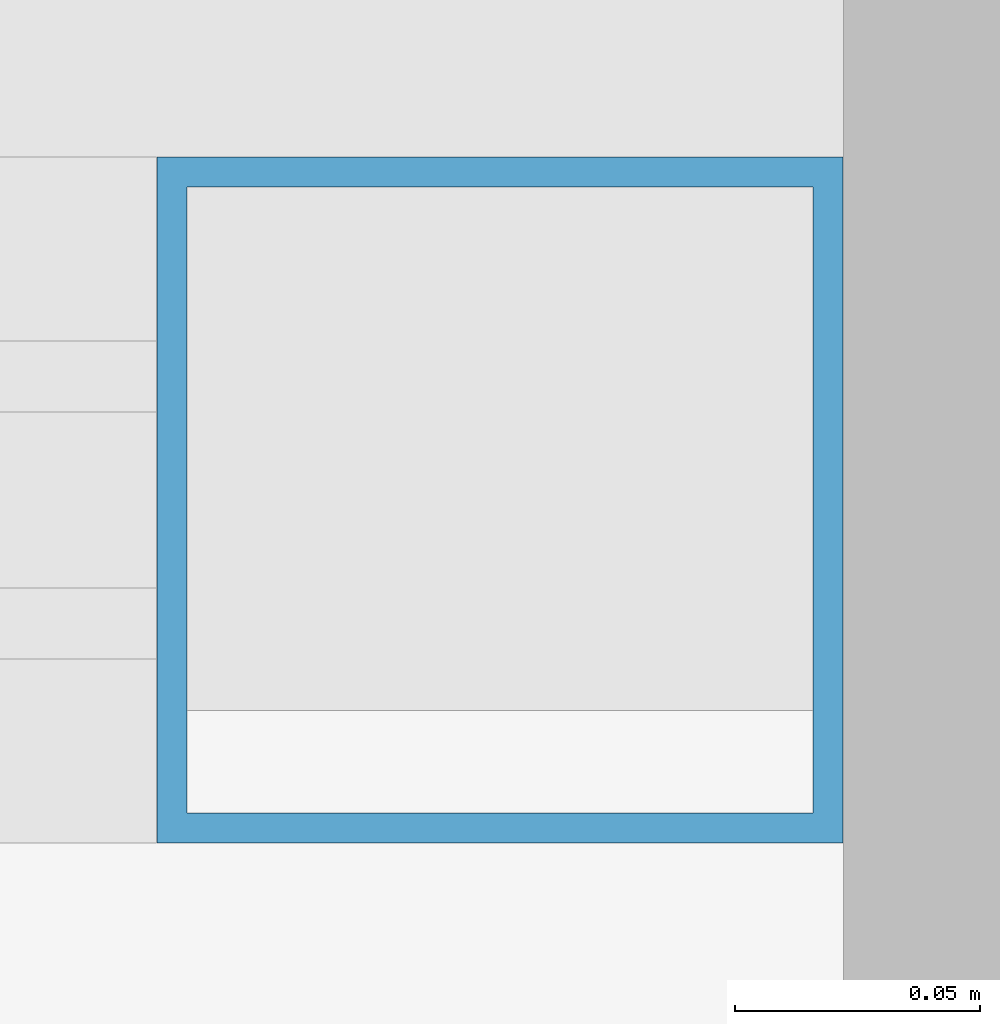
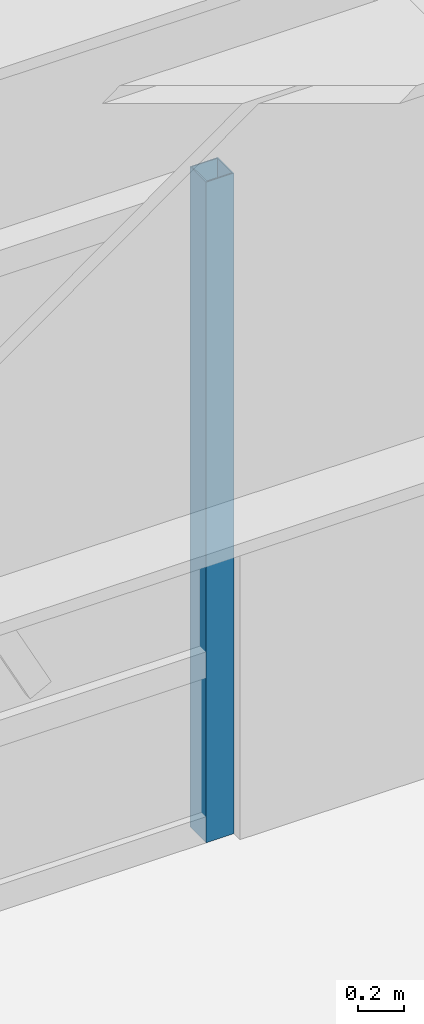
# One storey, part 20 of 38: 1 member, 1 element without a shape of its own.
"""IFC4 building model written with IfcOpenShell, lengths in metres."""

from ifc_helpers import new_model, si_unit, direction, frame, origin, origin_2d, place, context, subcontext, project, spatial, hollow_rectangle, extrude, source, transform, mapped, material, material_profile, profile_set, type_object, element, aggregate, save


model = new_model("IFC4")

# Units and contexts
model_context = context("Model", 3, precision=1e-05, world=origin(), true_north=direction((0.0, 1.0)))
body_context = subcontext(model_context, "Body", "Model", "MODEL_VIEW")
ifc_project = project(units=[si_unit("LENGTHUNIT", "METRE"), si_unit("AREAUNIT", "SQUARE_METRE"), si_unit("VOLUMEUNIT", "CUBIC_METRE"), si_unit("PLANEANGLEUNIT", "RADIAN"), si_unit("MASSUNIT", "GRAM", prefix="KILO")], contexts=[model_context])

# Site, building, storey
site_placement = place(None, origin())
site = spatial("IfcSite", under=ifc_project, at=site_placement, CompositionType="ELEMENT")
building_placement = place(site_placement, origin())
building = spatial("IfcBuilding", under=site, at=building_placement, Name="Khorayat Bourse Tower", CompositionType="ELEMENT")
storey_placement = place(building_placement, frame((0.0, 0.0, 17.39990234375)))
storey = spatial("IfcBuildingStorey", under=building, at=storey_placement, Name="L03", CompositionType="ELEMENT", Elevation=17.39990234375)

# Curtain wall, member
ifc_material = material(Name="Aluminium EN AW-6063 T6", Category="aluminium")
curtain_wall_type = type_object("IfcCurtainWallType", Name="CW-SYS-01", PredefinedType="NOTDEFINED", material=ifc_material)
curtain_wall_placement = place(storey_placement, origin())
curtain_wall = element("IfcCurtainWall", 1, at=curtain_wall_placement, inside=storey, type_object=curtain_wall_type, Name="L03 Curtain Wall CW-L03-NW", PredefinedType="NOTDEFINED")
ifc_material_profile = material_profile(ifc_material, hollow_rectangle(XDim=0.139892578125, YDim=0.139892578125, WallThickness=0.006103515625, at=origin_2d()), Name="ALU 140x140x6")
ifc_profile_set = profile_set([ifc_material_profile], Name="Aluminium EN AW-6063 T6")
member_type = type_object("IfcMemberType", Name="CWM-VERT-140", PredefinedType="MULLION", material=ifc_profile_set)
shared_shape = source(origin(), body_context, "Body", "SweptSolid", [
    extrude(hollow_rectangle(XDim=0.139892578125, YDim=0.139892578125, WallThickness=0.006103515625, at=origin_2d()), origin(), (0.0, 0.0, 1.0), 3.530029296875),
])
member_placement = place(storey_placement, frame((-0.969970703125, 34.742919921875, 0.0), z_axis=(0.0, 0.0, 1.0), x_axis=(0.0, -1.0, 0.0)))
member = element("IfcMember", 2, at=member_placement, type_object=member_type, Name="CW-L03-NW Vertical Mullion 1", PredefinedType="MULLION", context=body_context, shape_type="MappedRepresentation", body=[
    mapped(shared_shape, transform((0.0, 0.0, 0.0), scale=1.0)),
])
aggregate(curtain_wall, [member])

save(model, "model.ifc")
